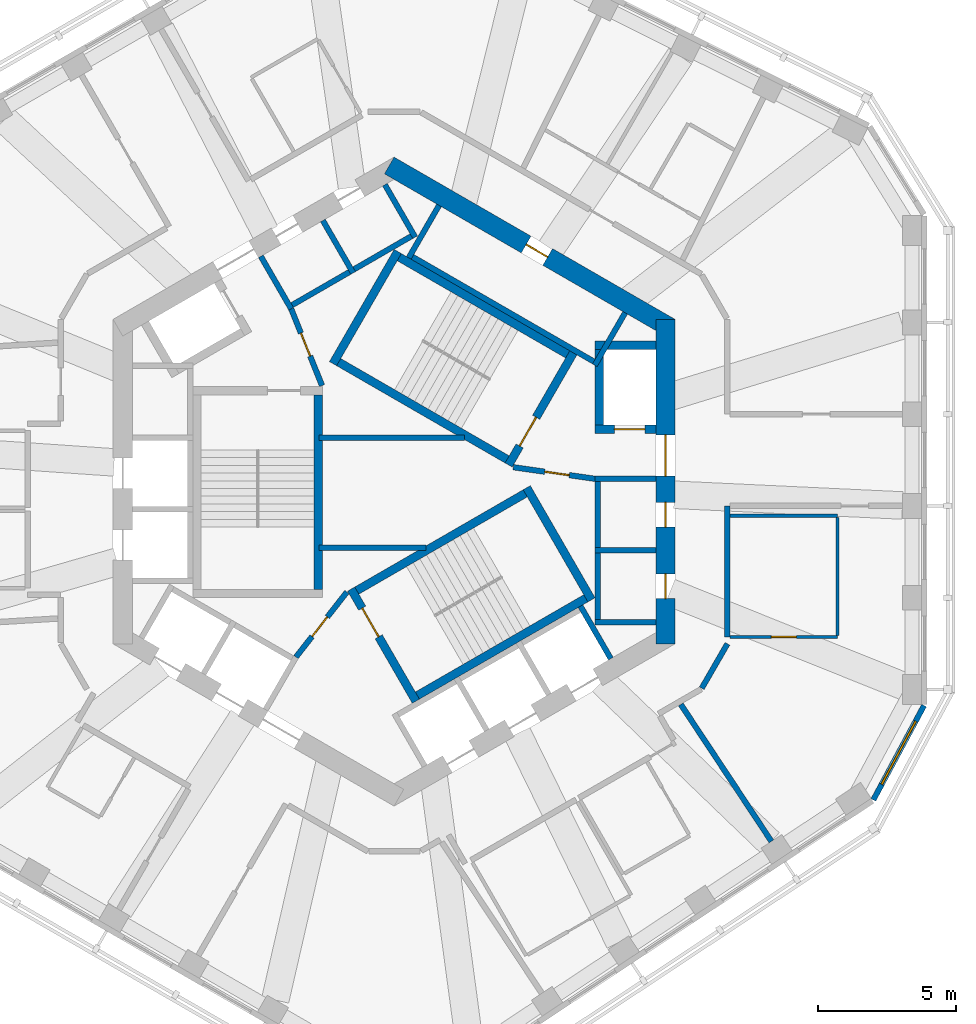
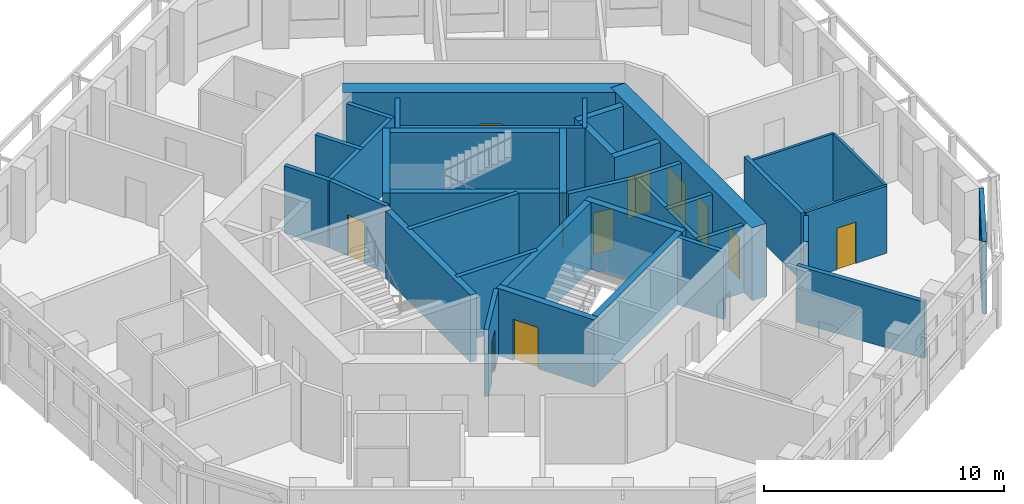
# One storey, part 6 of 11: 38 walls, 11 doors, 1 window, 12 openings.
"""IFC4 building model written with IfcOpenShell, lengths in metres."""

from ifc_helpers import new_model, si_unit, direction, frame, frame_2d, origin, place, context, subcontext, project, spatial, rectangle, extrude, material, layer, layer_set, type_object, element, fill, save


model = new_model("IFC4")

# Units and contexts
model_context = context("Model", 3, precision=1e-05, world=origin(), true_north=direction((0.0, 1.0)))
body_context = subcontext(model_context, "Body", "Model", "MODEL_VIEW")
ifc_project = project(units=[si_unit("LENGTHUNIT", "METRE"), si_unit("AREAUNIT", "SQUARE_METRE"), si_unit("VOLUMEUNIT", "CUBIC_METRE"), si_unit("PLANEANGLEUNIT", "RADIAN"), si_unit("MASSUNIT", "GRAM", prefix="KILO")], contexts=[model_context])

# Site, building, storey
site_placement = place(None, origin())
site = spatial("IfcSite", under=ifc_project, at=site_placement, CompositionType="ELEMENT")
building_placement = place(site_placement, origin())
building = spatial("IfcBuilding", under=site, at=building_placement, Name="Vanh Sen Convention Tower", CompositionType="ELEMENT")
storey_placement = place(building_placement, frame((0.0, 0.0, 270.89990234375)))
storey = spatial("IfcBuildingStorey", under=building, at=storey_placement, Name="L67", CompositionType="ELEMENT", Elevation=270.89990234375)

# Wall
ifc_material_1 = material(Name="Moisture-resistant gypsum board on steel studs", Category="steel")
ifc_layer_1 = layer(ifc_material_1, 0.1201171875)
ifc_layer_set_1 = layer_set([ifc_layer_1], Name="Moisture-resistant gypsum board on steel studs")
wall_type_1 = type_object("IfcWallType", Name="Bathroom partition 120", PredefinedType="PARTITIONING", material=ifc_layer_set_1)
wall_1_placement = place(storey_placement, frame((12.199951171875, -1.239013671875, 0.0), z_axis=(0.0, 0.0, 1.0), x_axis=(1.0, 0.0, 0.0)))
element("IfcWall", 1, at=wall_1_placement, inside=storey, type_object=wall_type_1, Name="Bathroom partition 120", PredefinedType="PARTITIONING", context=body_context, shape_type="SweptSolid", body=[
    extrude(rectangle(XDim=3.900146484375, YDim=0.1201171875, at=frame_2d((1.9501953125, 0.0))), origin(), (0.0, 0.0, 1.0), 3.420166015625),
])

# Wall, opening, door
wall_2_placement = place(storey_placement, frame((16.10009765625, -5.638916015625, 0.0), z_axis=(0.0, 0.0, 1.0), x_axis=(-1.0, 0.0, 0.0)))
wall_2 = element("IfcWall", 2, at=wall_2_placement, inside=storey, type_object=wall_type_1, Name="Bathroom partition 120", PredefinedType="PARTITIONING", context=body_context, shape_type="SweptSolid", body=[
    extrude(rectangle(XDim=3.900146484375, YDim=0.1201171875, at=frame_2d((1.9501953125, 0.0))), origin(), (0.0, 0.0, 1.0), 3.420166015625),
])
opening_1_placement = place(wall_2_placement, frame((1.5, 0.0, 0.0)))
opening_1 = element("IfcOpeningElement", 3, at=opening_1_placement, cuts=wall_2, Name="Opening D67119", PredefinedType="OPENING", context=body_context, shape_type="SweptSolid", body=[
    extrude(rectangle(XDim=0.89990234375, YDim=2.10009765625, at=frame_2d((0.449951171875, 1.050048828125))), frame((0.0, 0.070068359375, 0.0), z_axis=(0.0, -1.0, 0.0), x_axis=(1.0, 0.0, 0.0)), (0.0, 0.0, 1.0), 0.14013671875),
])
ifc_material_2 = material(Name="Laminate door in steel frame", Category="steel")
door_type_1 = type_object("IfcDoorType", Name="Room internal door 900", OperationType="SINGLE_SWING_LEFT", PredefinedType="DOOR", material=ifc_material_2)
door_1_placement = place(opening_1_placement, origin())
door_1 = element("IfcDoor", 4, at=door_1_placement, inside=storey, type_object=door_type_1, Name="Internal room door D67119", OperationType="SINGLE_SWING_LEFT", OverallHeight=2.10009765625, OverallWidth=0.89990234375, PredefinedType="DOOR", context=body_context, shape_type="SweptSolid", body=[
    extrude(rectangle(XDim=0.89990234375, YDim=2.10009765625, at=frame_2d((0.449951171875, 1.050048828125))), frame((0.0, 0.02490234375, 0.0), z_axis=(0.0, -1.0, 0.0), x_axis=(1.0, 0.0, 0.0)), (0.0, 0.0, 1.0), 0.050048828125),
])
fill(opening_1, door_1)

# Wall
wall_3_placement = place(storey_placement, frame((16.10009765625, -1.299072265625, 0.0), z_axis=(0.0, 0.0, 1.0), x_axis=(0.0, -1.0, 0.0)))
element("IfcWall", 5, at=wall_3_placement, inside=storey, type_object=wall_type_1, Name="Bathroom partition 120", PredefinedType="PARTITIONING", context=body_context, shape_type="SweptSolid", body=[
    extrude(rectangle(XDim=4.280029296875, YDim=0.1201171875, at=frame_2d((2.14013671875, 0.0))), origin(), (0.0, 0.0, 1.0), 3.420166015625),
])

# Wall, openings, doors
ifc_material_3 = material(Name="Concrete C60/75", Category="concrete")
ifc_layer_2 = layer(ifc_material_3, 0.699951171875)
ifc_layer_set_2 = layer_set([ifc_layer_2], Name="Concrete C60/75")
wall_type_2 = type_object("IfcWallType", Name="Core outer wall 700 C60/75", PredefinedType="SHEAR", material=ifc_layer_set_2)
wall_4_placement = place(storey_placement, frame((9.85009765625, -5.888916015625, 0.0), z_axis=(0.0, 0.0, 1.0), x_axis=(0.0, 1.0, 0.0)))
wall_4 = element("IfcWall", 6, at=wall_4_placement, inside=storey, type_object=wall_type_2, Name="Core wall face E L67", PredefinedType="SHEAR", context=body_context, shape_type="SweptSolid", body=[
    extrude(rectangle(XDim=11.77783203125, YDim=0.699951171875, at=frame_2d((5.888916015625, 0.0))), origin(), (0.0, 0.0, 1.0), 3.7001953125),
])
opening_2_placement = place(wall_4_placement, frame((6.089111328125, 0.0, 0.0)))
opening_2 = element("IfcOpeningElement", 7, at=opening_2_placement, cuts=wall_4, Name="Opening D67001", PredefinedType="OPENING", context=body_context, shape_type="SweptSolid", body=[
    extrude(rectangle(XDim=1.5, YDim=2.10009765625, at=frame_2d((0.75, 1.050048828125))), frame((0.0, 0.35986328125, 0.0), z_axis=(0.0, -1.0, 0.0), x_axis=(1.0, 0.0, 0.0)), (0.0, 0.0, 1.0), 0.719970703125),
])
opening_3_placement = place(wall_4_placement, frame((1.638916015625, 0.0, 0.0)))
opening_3 = element("IfcOpeningElement", 8, at=opening_3_placement, cuts=wall_4, Name="Opening D67010", PredefinedType="OPENING", context=body_context, shape_type="SweptSolid", body=[
    extrude(rectangle(XDim=0.89990234375, YDim=2.10009765625, at=frame_2d((0.449951171875, 1.050048828125))), frame((0.0, 0.35986328125, 0.0), z_axis=(0.0, -1.0, 0.0), x_axis=(1.0, 0.0, 0.0)), (0.0, 0.0, 1.0), 0.719970703125),
])
opening_4_placement = place(wall_4_placement, frame((4.239013671875, 0.0, 0.0)))
opening_4 = element("IfcOpeningElement", 9, at=opening_4_placement, cuts=wall_4, Name="Opening D67011", PredefinedType="OPENING", context=body_context, shape_type="SweptSolid", body=[
    extrude(rectangle(XDim=0.89990234375, YDim=2.10009765625, at=frame_2d((0.449951171875, 1.050048828125))), frame((0.0, 0.35986328125, 0.0), z_axis=(0.0, -1.0, 0.0), x_axis=(1.0, 0.0, 0.0)), (0.0, 0.0, 1.0), 0.719970703125),
])
ifc_material_4 = material(Name="Steel S355", Category="steel")
door_type_2 = type_object("IfcDoorType", Name="Plant door 900", OperationType="SINGLE_SWING_LEFT", PredefinedType="DOOR", material=ifc_material_4)
door_2_placement = place(opening_3_placement, origin())
door_2 = element("IfcDoor", 10, at=door_2_placement, inside=storey, type_object=door_type_2, Name="Plant door D67010", OperationType="SINGLE_SWING_LEFT", OverallHeight=2.10009765625, OverallWidth=0.89990234375, PredefinedType="DOOR", context=body_context, shape_type="SweptSolid", body=[
    extrude(rectangle(XDim=0.89990234375, YDim=2.10009765625, at=frame_2d((0.449951171875, 1.050048828125))), frame((0.0, 0.02490234375, 0.0), z_axis=(0.0, -1.0, 0.0), x_axis=(1.0, 0.0, 0.0)), (0.0, 0.0, 1.0), 0.050048828125),
])
fill(opening_3, door_2)
door_3_placement = place(opening_4_placement, origin())
door_3 = element("IfcDoor", 11, at=door_3_placement, inside=storey, type_object=door_type_2, Name="Plant door D67011", OperationType="SINGLE_SWING_LEFT", OverallHeight=2.10009765625, OverallWidth=0.89990234375, PredefinedType="DOOR", context=body_context, shape_type="SweptSolid", body=[
    extrude(rectangle(XDim=0.89990234375, YDim=2.10009765625, at=frame_2d((0.449951171875, 1.050048828125))), frame((0.0, 0.02490234375, 0.0), z_axis=(0.0, -1.0, 0.0), x_axis=(1.0, 0.0, 0.0)), (0.0, 0.0, 1.0), 0.050048828125),
])
fill(opening_4, door_3)
door_type_3 = type_object("IfcDoorType", Name="Stair lobby door 1500", OperationType="DOUBLE_DOOR_SINGLE_SWING", PredefinedType="DOOR", material=ifc_material_4)
door_4_placement = place(opening_2_placement, origin())
door_4 = element("IfcDoor", 12, at=door_4_placement, inside=storey, type_object=door_type_3, Name="Stair lobby door D67001", OperationType="DOUBLE_DOOR_SINGLE_SWING", OverallHeight=2.10009765625, OverallWidth=1.5, PredefinedType="DOOR", context=body_context, shape_type="SweptSolid", body=[
    extrude(rectangle(XDim=1.5, YDim=2.10009765625, at=frame_2d((0.75, 1.050048828125))), frame((0.0, 0.02490234375, 0.0), z_axis=(0.0, -1.0, 0.0), x_axis=(1.0, 0.0, 0.0)), (0.0, 0.0, 1.0), 0.050048828125),
])
fill(opening_2, door_4)

# Wall, opening, door
wall_5_placement = place(storey_placement, frame((10.02490234375, 5.5859375, 0.0), z_axis=(0.0, 0.0, 1.0), x_axis=(-0.866026453023, 0.499998182661, 0.0)))
wall_5 = element("IfcWall", 13, at=wall_5_placement, inside=storey, type_object=wall_type_2, Name="Core wall face NE L67", PredefinedType="SHEAR", context=body_context, shape_type="SweptSolid", body=[
    extrude(rectangle(XDim=11.77783203125, YDim=0.699951171875, at=frame_2d((5.888916015625, 0.0))), origin(), (0.0, 0.0, 1.0), 3.7001953125),
])
opening_5_placement = place(wall_5_placement, frame((5.138916015625, 0.0, 0.0)))
opening_5 = element("IfcOpeningElement", 14, at=opening_5_placement, cuts=wall_5, Name="Opening D67012", PredefinedType="OPENING", context=body_context, shape_type="SweptSolid", body=[
    extrude(rectangle(XDim=0.89990234375, YDim=2.10009765625, at=frame_2d((0.449951171875, 1.050048828125))), frame((0.0, 0.35986328125, 0.0), z_axis=(0.0, -1.0, 0.0), x_axis=(1.0, 0.0, 0.0)), (0.0, 0.0, 1.0), 0.719970703125),
])
door_5_placement = place(opening_5_placement, origin())
door_5 = element("IfcDoor", 15, at=door_5_placement, inside=storey, type_object=door_type_2, Name="Plant door D67012", OperationType="SINGLE_SWING_LEFT", OverallHeight=2.10009765625, OverallWidth=0.89990234375, PredefinedType="DOOR", context=body_context, shape_type="SweptSolid", body=[
    extrude(rectangle(XDim=0.89990234375, YDim=2.10009765625, at=frame_2d((0.449951171875, 1.050048828125))), frame((0.0, 0.02490234375, 0.0), z_axis=(0.0, -1.0, 0.0), x_axis=(1.0, 0.0, 0.0)), (0.0, 0.0, 1.0), 0.050048828125),
])
fill(opening_5, door_5)

# Walls
ifc_material_5 = material(Name="Masonry blockwork", Category="masonry")
ifc_layer_3 = layer(ifc_material_5, 0.199951171875)
ifc_layer_set_3 = layer_set([ifc_layer_3], Name="Masonry blockwork")
wall_type_3 = type_object("IfcWallType", Name="Core partition 200", PredefinedType="PARTITIONING", material=ifc_layer_set_3)
wall_6_placement = place(storey_placement, frame((-2.719970703125, -2.39990234375, 0.0), z_axis=(0.0, 0.0, 1.0), x_axis=(1.0, 0.0, 0.0)))
element("IfcWall", 16, at=wall_6_placement, inside=storey, type_object=wall_type_3, Name="Core partition L67", PredefinedType="PARTITIONING", context=body_context, shape_type="SweptSolid", body=[
    extrude(rectangle(XDim=3.883056640625, YDim=0.199951171875, at=frame_2d((1.94140625, 0.0))), origin(), (0.0, 0.0, 1.0), 3.420166015625),
])
wall_7_placement = place(storey_placement, frame((-2.719970703125, 1.60009765625, 0.0), z_axis=(0.0, 0.0, 1.0), x_axis=(1.0, 0.0, 0.0)))
element("IfcWall", 17, at=wall_7_placement, inside=storey, type_object=wall_type_3, Name="Core partition L67", PredefinedType="PARTITIONING", context=body_context, shape_type="SweptSolid", body=[
    extrude(rectangle(XDim=5.2685546875, YDim=0.199951171875, at=frame_2d((2.63427734375, 0.0))), origin(), (0.0, 0.0, 1.0), 3.420166015625),
])
ifc_material_6 = material(Name="Gypsum board on steel studs with mineral wool", Category="steel")
ifc_layer_4 = layer(ifc_material_6, 0.199951171875)
ifc_layer_set_4 = layer_set([ifc_layer_4], Name="Gypsum board on steel studs with mineral wool")
wall_type_4 = type_object("IfcWallType", Name="Corridor partition wall 200", PredefinedType="PARTITIONING", material=ifc_layer_set_4)
wall_8_placement = place(storey_placement, frame((11.169921875, -7.5, 0.0), z_axis=(0.0, 0.0, 1.0), x_axis=(0.500006454166, 0.866021677438, 0.0)))
element("IfcWall", 18, at=wall_8_placement, inside=storey, type_object=wall_type_4, Name="Corridor partition wall 200", PredefinedType="PARTITIONING", context=body_context, shape_type="SweptSolid", body=[
    extrude(rectangle(XDim=1.8603515625, YDim=0.199951171875, at=frame_2d((0.93017578125, 0.0))), origin(), (0.0, 0.0, 1.0), 3.420166015625),
])
wall_9_placement = place(storey_placement, frame((12.10009765625, -5.638916015625, 0.0), z_axis=(0.0, 0.0, 1.0), x_axis=(0.0, 1.0, 0.0)))
element("IfcWall", 19, at=wall_9_placement, inside=storey, type_object=wall_type_4, Name="Corridor partition wall 200", PredefinedType="PARTITIONING", context=body_context, shape_type="SweptSolid", body=[
    extrude(rectangle(XDim=4.755615234375, YDim=0.199951171875, at=frame_2d((2.3779296875, 0.0))), origin(), (0.0, 0.0, 1.0), 3.420166015625),
])

# Wall, opening, window
ifc_material_7 = material(Name="Insulated lightweight infill wall")
ifc_layer_5 = layer(ifc_material_7, 0.199951171875)
ifc_layer_set_5 = layer_set([ifc_layer_5], Name="Insulated lightweight infill wall")
wall_type_5 = type_object("IfcWallType", Name="External wall 200", PredefinedType="STANDARD", material=ifc_layer_set_5)
wall_10_placement = place(storey_placement, frame((17.39892578125, -11.55419921875, 0.0), z_axis=(0.0, 0.0, 1.0), x_axis=(0.473309051311, 0.880896442238, 0.0)))
wall_10 = element("IfcWall", 20, at=wall_10_placement, inside=storey, type_object=wall_type_5, Name="External wall CH6 L67", PredefinedType="STANDARD", context=body_context, shape_type="SweptSolid", body=[
    extrude(rectangle(XDim=3.8857421875, YDim=0.199951171875, at=frame_2d((1.94287109375, 0.0))), origin(), (0.0, 0.0, 1.0), 3.7001953125),
])
opening_6_placement = place(wall_10_placement, frame((0.642822265625, 0.0, 0.89990234375)))
opening_6 = element("IfcOpeningElement", 21, at=opening_6_placement, cuts=wall_10, Name="Opening WO6-CH61", PredefinedType="OPENING", context=body_context, shape_type="SweptSolid", body=[
    extrude(rectangle(XDim=2.60009765625, YDim=2.0, at=frame_2d((1.300048828125, 1.0))), frame((0.0, 0.10986328125, 0.0), z_axis=(0.0, -1.0, 0.0), x_axis=(1.0, 0.0, 0.0)), (0.0, 0.0, 1.0), 0.219970703125),
])
ifc_material_8 = material(Name="Aluminium frame with clear low-emissivity glass", Category="aluminium")
window_type = type_object("IfcWindowType", Name="Office window 2600 x 2000", PartitioningType="SINGLE_PANEL", PredefinedType="WINDOW", material=ifc_material_8)
window_placement = place(opening_6_placement, origin())
window = element("IfcWindow", 22, at=window_placement, inside=storey, type_object=window_type, Name="Window WO6-CH61", OverallHeight=2.0, OverallWidth=2.60009765625, PartitioningType="SINGLE_PANEL", PredefinedType="WINDOW", context=body_context, shape_type="SweptSolid", body=[
    extrude(rectangle(XDim=2.60009765625, YDim=2.0, at=frame_2d((1.300048828125, 1.0))), frame((0.0, 0.030029296875, 0.0), z_axis=(0.0, -1.0, 0.0), x_axis=(1.0, 0.0, 0.0)), (0.0, 0.0, 1.0), 0.06005859375),
])
fill(opening_6, window)

# Wall, opening, door
ifc_layer_6 = layer(ifc_material_3, 0.300048828125)
ifc_layer_set_6 = layer_set([ifc_layer_6], Name="Concrete C60/75")
wall_type_6 = type_object("IfcWallType", Name="Fire-fighting lift shaft wall 300", PredefinedType="SHEAR", material=ifc_layer_set_6)
wall_11_placement = place(storey_placement, frame((7.300048828125, 1.89990234375, 0.0), z_axis=(0.0, 0.0, 1.0), x_axis=(1.0, 0.0, 0.0)))
wall_11 = element("IfcWall", 23, at=wall_11_placement, inside=storey, type_object=wall_type_6, Name="Fire-fighting lift shaft wall L67", PredefinedType="SHEAR", context=body_context, shape_type="SweptSolid", body=[
    extrude(rectangle(XDim=2.199951171875, YDim=0.300048828125, at=frame_2d((1.10009765625, 0.0))), origin(), (0.0, 0.0, 1.0), 3.420166015625),
])
opening_7_placement = place(wall_11_placement, frame((0.699951171875, 0.0, 0.0)))
opening_7 = element("IfcOpeningElement", 24, at=opening_7_placement, cuts=wall_11, Name="Opening LD-FF1", PredefinedType="OPENING", context=body_context, shape_type="SweptSolid", body=[
    extrude(rectangle(XDim=1.10009765625, YDim=2.10009765625, at=frame_2d((0.550048828125, 1.050048828125))), frame((0.0, 0.159912109375, 0.0), z_axis=(0.0, -1.0, 0.0), x_axis=(1.0, 0.0, 0.0)), (0.0, 0.0, 1.0), 0.320068359375),
])
ifc_material_9 = material(Name="Stainless steel", Category="steel")
door_type_4 = type_object("IfcDoorType", Name="Fire-fighting lift landing door 1100", OperationType="DOUBLE_DOOR_SLIDING", PredefinedType="DOOR", material=ifc_material_9)
door_6_placement = place(opening_7_placement, origin())
door_6 = element("IfcDoor", 25, at=door_6_placement, inside=storey, type_object=door_type_4, Name="Lift FF1 landing door LD-FF1", OperationType="DOUBLE_DOOR_SLIDING", OverallHeight=2.10009765625, OverallWidth=1.10009765625, PredefinedType="DOOR", context=body_context, shape_type="SweptSolid", body=[
    extrude(rectangle(XDim=1.10009765625, YDim=2.10009765625, at=frame_2d((0.550048828125, 1.050048828125))), frame((0.0, 0.02490234375, 0.0), z_axis=(0.0, -1.0, 0.0), x_axis=(1.0, 0.0, 0.0)), (0.0, 0.0, 1.0), 0.050048828125),
])
fill(opening_7, door_6)

# Walls
wall_12_placement = place(storey_placement, frame((7.449951171875, 1.75, 0.0), z_axis=(0.0, 0.0, 1.0), x_axis=(0.0, 1.0, 0.0)))
element("IfcWall", 26, at=wall_12_placement, inside=storey, type_object=wall_type_6, Name="Fire-fighting lift shaft wall L67", PredefinedType="SHEAR", context=body_context, shape_type="SweptSolid", body=[
    extrude(rectangle(XDim=3.35009765625, YDim=0.300048828125, at=frame_2d((1.675048828125, 0.0))), origin(), (0.0, 0.0, 1.0), 3.420166015625),
])
wall_13_placement = place(storey_placement, frame((7.300048828125, 4.949951171875, 0.0), z_axis=(0.0, 0.0, 1.0), x_axis=(1.0, 0.0, 0.0)))
element("IfcWall", 27, at=wall_13_placement, inside=storey, type_object=wall_type_6, Name="Fire-fighting lift shaft wall L67", PredefinedType="SHEAR", context=body_context, shape_type="SweptSolid", body=[
    extrude(rectangle(XDim=2.199951171875, YDim=0.300048828125, at=frame_2d((1.10009765625, 0.0))), origin(), (0.0, 0.0, 1.0), 3.420166015625),
])
ifc_material_10 = material(Name="Concrete C40/50", Category="concrete")
ifc_layer_7 = layer(ifc_material_10, 0.199951171875)
ifc_layer_set_7 = layer_set([ifc_layer_7], Name="Concrete C40/50")
wall_type_7 = type_object("IfcWallType", Name="Lift shaft wall 200", PredefinedType="PARTITIONING", material=ifc_layer_set_7)
wall_14_placement = place(storey_placement, frame((7.39990234375, -5.199951171875, 0.0), z_axis=(0.0, 0.0, 1.0), x_axis=(0.0, 1.0, 0.0)))
element("IfcWall", 28, at=wall_14_placement, inside=storey, type_object=wall_type_7, Name="Lift shaft wall L67", PredefinedType="PARTITIONING", context=body_context, shape_type="SweptSolid", body=[
    extrude(rectangle(XDim=5.39990234375, YDim=0.199951171875, at=frame_2d((2.699951171875, 0.0))), origin(), (0.0, 0.0, 1.0), 3.420166015625),
])
for number, where, z_axis, x_axis, name in (
    (29, (7.300048828125, -5.10009765625, 0.0), (0.0, 0.0, 1.0), (1.0, 0.0, 0.0), "Lift shaft wall L67"),
    (30, (7.300048828125, -2.5, 0.0), (0.0, 0.0, 1.0), (1.0, 0.0, 0.0), "Lift shaft wall L67"),
    (31, (7.300048828125, 0.10009765625, 0.0), (0.0, 0.0, 1.0), (1.0, 0.0, 0.0), "Lift shaft wall L67"),
):
    element("IfcWall", number, at=place(storey_placement, frame(where, z_axis=z_axis, x_axis=x_axis)), inside=storey, type_object=wall_type_7, Name=name, PredefinedType="PARTITIONING", context=body_context, shape_type="SweptSolid", body=[
        extrude(rectangle(XDim=2.199951171875, YDim=0.199951171875, at=frame_2d((1.10009765625, 0.0))), origin(), (0.0, 0.0, 1.0), 3.420166015625),
    ])
wall_15_placement = place(storey_placement, frame((7.423828125, 4.258544921875, 0.0), z_axis=(0.0, 0.0, 1.0), x_axis=(-0.866026010844, 0.49999894854, 0.0)))
element("IfcWall", 32, at=wall_15_placement, inside=storey, type_object=wall_type_7, Name="Lift shaft wall L67", PredefinedType="PARTITIONING", context=body_context, shape_type="SweptSolid", body=[
    extrude(rectangle(XDim=8.0, YDim=0.199951171875, at=frame_2d((4.0, 0.0))), origin(), (0.0, 0.0, 1.0), 3.420166015625),
])
for number, where, z_axis, x_axis, name in (
    (33, (7.287353515625, 4.221923828125, 0.0), (0.0, 0.0, 1.0), (0.499946605688, 0.86605622881, 0.0), "Lift shaft wall L67"),
    (34, (0.5322265625, 8.1220703125, 0.0), (0.0, 0.0, 1.0), (0.500077893725, 0.86598042715, 0.0), "Lift shaft wall L67"),
):
    element("IfcWall", number, at=place(storey_placement, frame(where, z_axis=z_axis, x_axis=x_axis)), inside=storey, type_object=wall_type_7, Name=name, PredefinedType="PARTITIONING", context=body_context, shape_type="SweptSolid", body=[
        extrude(rectangle(XDim=2.199951171875, YDim=0.199951171875, at=frame_2d((1.10009765625, 0.0))), origin(), (0.0, 0.0, 1.0), 3.420166015625),
    ])
wall_16_placement = place(storey_placement, frame((0.80322265625, 9.008544921875, 0.0), z_axis=(0.0, 0.0, 1.0), x_axis=(-0.866028230842, -0.499995103361, 0.0)))
element("IfcWall", 35, at=wall_16_placement, inside=storey, type_object=wall_type_7, Name="Lift shaft wall L67", PredefinedType="PARTITIONING", context=body_context, shape_type="SweptSolid", body=[
    extrude(rectangle(XDim=5.39990234375, YDim=0.199951171875, at=frame_2d((2.699951171875, 0.0))), origin(), (0.0, 0.0, 1.0), 3.420166015625),
])
wall_17_placement = place(storey_placement, frame((0.7666015625, 8.8720703125, 0.0), z_axis=(0.0, 0.0, 1.0), x_axis=(-0.499994660107, 0.866028486751, 0.0)))
element("IfcWall", 36, at=wall_17_placement, inside=storey, type_object=wall_type_7, Name="Lift shaft wall L67", PredefinedType="PARTITIONING", context=body_context, shape_type="SweptSolid", body=[
    extrude(rectangle(XDim=2.19970703125, YDim=0.199951171875, at=frame_2d((1.099853515625, 0.0))), origin(), (0.0, 0.0, 1.0), 3.420166015625),
])
for number, where, z_axis, x_axis, name in (
    (37, (-1.48486328125, 7.572021484375, 0.0), (0.0, 0.0, 1.0), (-0.50002983664, 0.866008176907, 0.0), "Lift shaft wall L67"),
    (38, (-3.736572265625, 6.27197265625, 0.0), (0.0, 0.0, 1.0), (-0.50002983664, 0.866008176907, 0.0), "Lift shaft wall L67"),
    (39, (6.767578125, -4.52197265625, 0.0), (0.0, 0.0, 1.0), (0.50002983664, -0.866008176907, 0.0), "Lift shaft wall L67"),
):
    element("IfcWall", number, at=place(storey_placement, frame(where, z_axis=z_axis, x_axis=x_axis)), inside=storey, type_object=wall_type_7, Name=name, PredefinedType="PARTITIONING", context=body_context, shape_type="SweptSolid", body=[
        extrude(rectangle(XDim=2.199951171875, YDim=0.199951171875, at=frame_2d((1.10009765625, 0.0))), origin(), (0.0, 0.0, 1.0), 3.420166015625),
    ])

# Wall, opening, door
ifc_layer_8 = layer(ifc_material_10, 0.199951171875)
ifc_layer_set_8 = layer_set([ifc_layer_8], Name="Concrete C40/50")
wall_type_8 = type_object("IfcWallType", Name="Stair lobby wall 200", PredefinedType="PARTITIONING", material=ifc_layer_set_8)
wall_18_placement = place(storey_placement, frame((4.327392578125, 0.52099609375, 0.0), z_axis=(0.0, 0.0, 1.0), x_axis=(0.990124376366, -0.14019172346, 0.0)))
wall_18 = element("IfcWall", 40, at=wall_18_placement, inside=storey, type_object=wall_type_8, Name="Stair lobby wall L67", PredefinedType="PARTITIONING", context=body_context, shape_type="SweptSolid", body=[
    extrude(rectangle(XDim=3.002197265625, YDim=0.199951171875, at=frame_2d((1.5009765625, 0.0))), origin(), (0.0, 0.0, 1.0), 3.420166015625),
])
opening_8_placement = place(wall_18_placement, frame((1.14990234375, 0.0, 0.0)))
opening_8 = element("IfcOpeningElement", 41, at=opening_8_placement, cuts=wall_18, Name="Opening D67007", PredefinedType="OPENING", context=body_context, shape_type="SweptSolid", body=[
    extrude(rectangle(XDim=0.89990234375, YDim=2.10009765625, at=frame_2d((0.449951171875, 1.050048828125))), frame((0.0, 0.10986328125, 0.0), z_axis=(0.0, -1.0, 0.0), x_axis=(1.0, 0.0, 0.0)), (0.0, 0.0, 1.0), 0.219970703125),
])
door_7_placement = place(opening_8_placement, origin())
door_7 = element("IfcDoor", 42, at=door_7_placement, inside=storey, type_object=door_type_2, Name="Plant door D67007", OperationType="SINGLE_SWING_LEFT", OverallHeight=2.10009765625, OverallWidth=0.89990234375, PredefinedType="DOOR", context=body_context, shape_type="SweptSolid", body=[
    extrude(rectangle(XDim=0.89990234375, YDim=2.10009765625, at=frame_2d((0.449951171875, 1.050048828125))), frame((0.0, 0.02490234375, 0.0), z_axis=(0.0, -1.0, 0.0), x_axis=(1.0, 0.0, 0.0)), (0.0, 0.0, 1.0), 0.050048828125),
])
fill(opening_8, door_7)

wall_19_placement = place(storey_placement, frame((-2.614990234375, 3.487060546875, 0.0), z_axis=(0.0, 0.0, 1.0), x_axis=(-0.373576831041, 0.92759924068, 0.0)))
wall_19 = element("IfcWall", 43, at=wall_19_placement, inside=storey, type_object=wall_type_8, Name="Stair lobby wall L67", PredefinedType="PARTITIONING", context=body_context, shape_type="SweptSolid", body=[
    extrude(rectangle(XDim=3.002197265625, YDim=0.199951171875, at=frame_2d((1.5009765625, 0.0))), origin(), (0.0, 0.0, 1.0), 3.420166015625),
])
opening_9_placement = place(wall_19_placement, frame((1.14990234375, 0.0, 0.0)))
opening_9 = element("IfcOpeningElement", 44, at=opening_9_placement, cuts=wall_19, Name="Opening D67008", PredefinedType="OPENING", context=body_context, shape_type="SweptSolid", body=[
    extrude(rectangle(XDim=0.89990234375, YDim=2.10009765625, at=frame_2d((0.449951171875, 1.050048828125))), frame((0.0, 0.10986328125, 0.0), z_axis=(0.0, -1.0, 0.0), x_axis=(1.0, 0.0, 0.0)), (0.0, 0.0, 1.0), 0.219970703125),
])
door_8_placement = place(opening_9_placement, origin())
door_8 = element("IfcDoor", 45, at=door_8_placement, inside=storey, type_object=door_type_2, Name="Plant door D67008", OperationType="SINGLE_SWING_LEFT", OverallHeight=2.10009765625, OverallWidth=0.89990234375, PredefinedType="DOOR", context=body_context, shape_type="SweptSolid", body=[
    extrude(rectangle(XDim=0.89990234375, YDim=2.10009765625, at=frame_2d((0.449951171875, 1.050048828125))), frame((0.0, 0.02490234375, 0.0), z_axis=(0.0, -1.0, 0.0), x_axis=(1.0, 0.0, 0.0)), (0.0, 0.0, 1.0), 0.050048828125),
])
fill(opening_9, door_8)

wall_20_placement = place(storey_placement, frame((-1.71240234375, -4.00830078125, 0.0), z_axis=(0.0, 0.0, 1.0), x_axis=(-0.616549420702, -0.787316208287, 0.0)))
wall_20 = element("IfcWall", 46, at=wall_20_placement, inside=storey, type_object=wall_type_8, Name="Stair lobby wall L67", PredefinedType="PARTITIONING", context=body_context, shape_type="SweptSolid", body=[
    extrude(rectangle(XDim=3.002197265625, YDim=0.199951171875, at=frame_2d((1.5009765625, 0.0))), origin(), (0.0, 0.0, 1.0), 3.420166015625),
])
opening_10_placement = place(wall_20_placement, frame((1.14990234375, 0.0, 0.0)))
opening_10 = element("IfcOpeningElement", 47, at=opening_10_placement, cuts=wall_20, Name="Opening D67009", PredefinedType="OPENING", context=body_context, shape_type="SweptSolid", body=[
    extrude(rectangle(XDim=0.89990234375, YDim=2.10009765625, at=frame_2d((0.449951171875, 1.050048828125))), frame((0.0, 0.10986328125, 0.0), z_axis=(0.0, -1.0, 0.0), x_axis=(1.0, 0.0, 0.0)), (0.0, 0.0, 1.0), 0.219970703125),
])
door_9_placement = place(opening_10_placement, origin())
door_9 = element("IfcDoor", 48, at=door_9_placement, inside=storey, type_object=door_type_2, Name="Plant door D67009", OperationType="SINGLE_SWING_LEFT", OverallHeight=2.10009765625, OverallWidth=0.89990234375, PredefinedType="DOOR", context=body_context, shape_type="SweptSolid", body=[
    extrude(rectangle(XDim=0.89990234375, YDim=2.10009765625, at=frame_2d((0.449951171875, 1.050048828125))), frame((0.0, 0.02490234375, 0.0), z_axis=(0.0, -1.0, 0.0), x_axis=(1.0, 0.0, 0.0)), (0.0, 0.0, 1.0), 0.050048828125),
])
fill(opening_10, door_9)

ifc_layer_9 = layer(ifc_material_3, 0.300048828125)
ifc_layer_set_9 = layer_set([ifc_layer_9], Name="Concrete C60/75")
wall_type_9 = type_object("IfcWallType", Name="Stair wall 300", PredefinedType="SHEAR", material=ifc_layer_set_9)
wall_21_placement = place(storey_placement, frame((4.157958984375, 0.601806640625, 0.0), z_axis=(0.0, 0.0, 1.0), x_axis=(0.499977259774, 0.866038532462, 0.0)))
wall_21 = element("IfcWall", 49, at=wall_21_placement, inside=storey, type_object=wall_type_9, Name="Stair wall L67", PredefinedType="SHEAR", context=body_context, shape_type="SweptSolid", body=[
    extrude(rectangle(XDim=4.699951171875, YDim=0.300048828125, at=frame_2d((2.35009765625, 0.0))), origin(), (0.0, 0.0, 1.0), 3.420166015625),
])
opening_11_placement = place(wall_21_placement, frame((0.800048828125, 0.0, 0.0)))
opening_11 = element("IfcOpeningElement", 50, at=opening_11_placement, cuts=wall_21, Name="Opening D67004", PredefinedType="OPENING", context=body_context, shape_type="SweptSolid", body=[
    extrude(rectangle(XDim=1.199951171875, YDim=2.10009765625, at=frame_2d((0.60009765625, 1.050048828125))), frame((0.0, 0.159912109375, 0.0), z_axis=(0.0, -1.0, 0.0), x_axis=(1.0, 0.0, 0.0)), (0.0, 0.0, 1.0), 0.320068359375),
])
door_type_5 = type_object("IfcDoorType", Name="Stair door 1200", OperationType="SINGLE_SWING_RIGHT", PredefinedType="DOOR", material=ifc_material_4)
door_10_placement = place(opening_11_placement, origin())
door_10 = element("IfcDoor", 51, at=door_10_placement, inside=storey, type_object=door_type_5, Name="Stair ST1 door D67004", OperationType="SINGLE_SWING_RIGHT", OverallHeight=2.10009765625, OverallWidth=1.199951171875, PredefinedType="DOOR", context=body_context, shape_type="SweptSolid", body=[
    extrude(rectangle(XDim=1.199951171875, YDim=2.10009765625, at=frame_2d((0.60009765625, 1.050048828125))), frame((0.0, 0.02490234375, 0.0), z_axis=(0.0, -1.0, 0.0), x_axis=(1.0, 0.0, 0.0)), (0.0, 0.0, 1.0), 0.050048828125),
])
fill(opening_11, door_10)

# Walls
wall_22_placement = place(storey_placement, frame((-2.216064453125, 4.28173828125, 0.0), z_axis=(0.0, 0.0, 1.0), x_axis=(0.499977259774, 0.866038532462, 0.0)))
element("IfcWall", 52, at=wall_22_placement, inside=storey, type_object=wall_type_9, Name="Stair wall L67", PredefinedType="SHEAR", context=body_context, shape_type="SweptSolid", body=[
    extrude(rectangle(XDim=4.699951171875, YDim=0.300048828125, at=frame_2d((2.35009765625, 0.0))), origin(), (0.0, 0.0, 1.0), 3.420166015625),
])
for number, where, z_axis, x_axis, name in (
    (53, (4.10302734375, 0.806640625, 0.0), (0.0, 0.0, 1.0), (-0.866027801685, 0.499995846692, 0.0), "Stair wall L67"),
    (54, (6.302978515625, 4.6171875, 0.0), (0.0, 0.0, 1.0), (-0.866027801685, 0.499995846692, 0.0), "Stair wall L67"),
):
    element("IfcWall", number, at=place(storey_placement, frame(where, z_axis=z_axis, x_axis=x_axis)), inside=storey, type_object=wall_type_9, Name=name, PredefinedType="SHEAR", context=body_context, shape_type="SweptSolid", body=[
        extrude(rectangle(XDim=7.06005859375, YDim=0.300048828125, at=frame_2d((3.530029296875, 0.0))), origin(), (0.0, 0.0, 1.0), 3.420166015625),
    ])
wall_23_placement = place(storey_placement, frame((-2.75, 3.14990234375, 0.0), z_axis=(0.0, 0.0, 1.0), x_axis=(0.0, -1.0, 0.0)))
element("IfcWall", 55, at=wall_23_placement, inside=storey, type_object=wall_type_9, Name="Stair wall L67", PredefinedType="SHEAR", context=body_context, shape_type="SweptSolid", body=[
    extrude(rectangle(XDim=7.059814453125, YDim=0.300048828125, at=frame_2d((3.52978515625, 0.0))), origin(), (0.0, 0.0, 1.0), 3.420166015625),
])

# Wall, opening, door
wall_24_placement = place(storey_placement, frame((-1.557861328125, -3.901611328125, 0.0), z_axis=(0.0, 0.0, 1.0), x_axis=(0.499977259774, -0.866038532462, 0.0)))
wall_24 = element("IfcWall", 56, at=wall_24_placement, inside=storey, type_object=wall_type_9, Name="Stair wall L67", PredefinedType="SHEAR", context=body_context, shape_type="SweptSolid", body=[
    extrude(rectangle(XDim=4.699951171875, YDim=0.300048828125, at=frame_2d((2.35009765625, 0.0))), origin(), (0.0, 0.0, 1.0), 3.420166015625),
])
opening_12_placement = place(wall_24_placement, frame((0.800048828125, 0.0, 0.0)))
opening_12 = element("IfcOpeningElement", 57, at=opening_12_placement, cuts=wall_24, Name="Opening D67006", PredefinedType="OPENING", context=body_context, shape_type="SweptSolid", body=[
    extrude(rectangle(XDim=1.199951171875, YDim=2.10009765625, at=frame_2d((0.60009765625, 1.050048828125))), frame((0.0, 0.159912109375, 0.0), z_axis=(0.0, -1.0, 0.0), x_axis=(1.0, 0.0, 0.0)), (0.0, 0.0, 1.0), 0.320068359375),
])
door_11_placement = place(opening_12_placement, origin())
door_11 = element("IfcDoor", 58, at=door_11_placement, inside=storey, type_object=door_type_5, Name="Stair ST3 door D67006", OperationType="SINGLE_SWING_RIGHT", OverallHeight=2.10009765625, OverallWidth=1.199951171875, PredefinedType="DOOR", context=body_context, shape_type="SweptSolid", body=[
    extrude(rectangle(XDim=1.199951171875, YDim=2.10009765625, at=frame_2d((0.60009765625, 1.050048828125))), frame((0.0, 0.02490234375, 0.0), z_axis=(0.0, -1.0, 0.0), x_axis=(1.0, 0.0, 0.0)), (0.0, 0.0, 1.0), 0.050048828125),
])
fill(opening_12, door_11)

# Walls
wall_25_placement = place(storey_placement, frame((4.816162109375, -0.2216796875, 0.0), z_axis=(0.0, 0.0, 1.0), x_axis=(0.499977259774, -0.866038532462, 0.0)))
element("IfcWall", 59, at=wall_25_placement, inside=storey, type_object=wall_type_9, Name="Stair wall L67", PredefinedType="SHEAR", context=body_context, shape_type="SweptSolid", body=[
    extrude(rectangle(XDim=4.699951171875, YDim=0.300048828125, at=frame_2d((2.35009765625, 0.0))), origin(), (0.0, 0.0, 1.0), 3.420166015625),
])
for number, where, z_axis, x_axis, name in (
    (60, (-1.35302734375, -3.95654296875, 0.0), (0.0, 0.0, 1.0), (0.866027801685, 0.499995846692, 0.0), "Stair wall L67"),
    (61, (0.846923828125, -7.76708984375, 0.0), (0.0, 0.0, 1.0), (0.866027801685, 0.499995846692, 0.0), "Stair wall L67"),
):
    element("IfcWall", number, at=place(storey_placement, frame(where, z_axis=z_axis, x_axis=x_axis)), inside=storey, type_object=wall_type_9, Name=name, PredefinedType="SHEAR", context=body_context, shape_type="SweptSolid", body=[
        extrude(rectangle(XDim=7.06005859375, YDim=0.300048828125, at=frame_2d((3.530029296875, 0.0))), origin(), (0.0, 0.0, 1.0), 3.420166015625),
    ])
ifc_layer_10 = layer(ifc_material_6, 0.199951171875)
ifc_layer_set_10 = layer_set([ifc_layer_10], Name="Gypsum board on steel studs with mineral wool")
wall_type_10 = type_object("IfcWallType", Name="Tenant suite wall 200", PredefinedType="PARTITIONING", material=ifc_layer_set_10)
wall_26_placement = place(storey_placement, frame((13.697998046875, -13.058837890625, 0.0), z_axis=(0.0, 0.0, 1.0), x_axis=(-0.551927229301, 0.833892279348, 0.0)))
element("IfcWall", 62, at=wall_26_placement, inside=storey, type_object=wall_type_10, Name="Tenant suite wall 200", PredefinedType="PARTITIONING", context=body_context, shape_type="SweptSolid", body=[
    extrude(rectangle(XDim=5.959716796875, YDim=0.199951171875, at=frame_2d((2.97998046875, 0.0))), origin(), (0.0, 0.0, 1.0), 2.8701171875),
])

save(model, "model.ifc")
